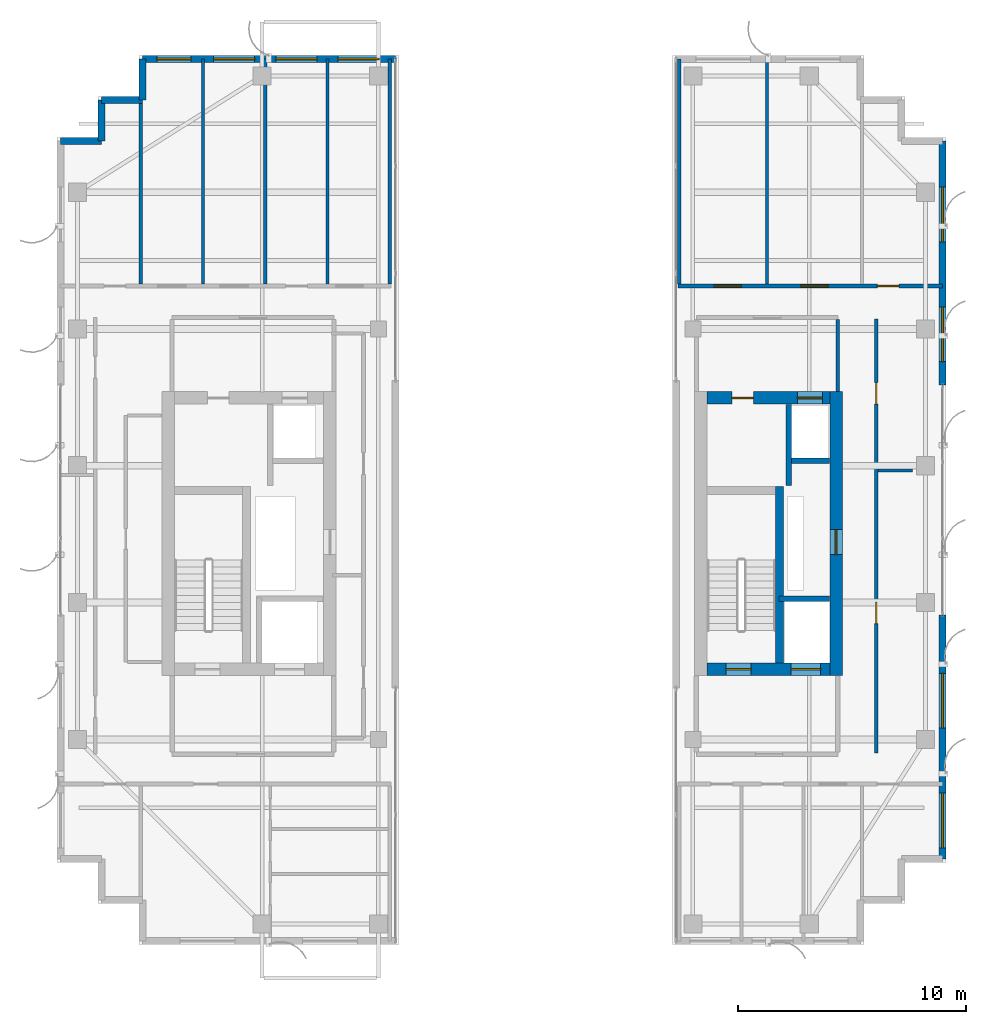
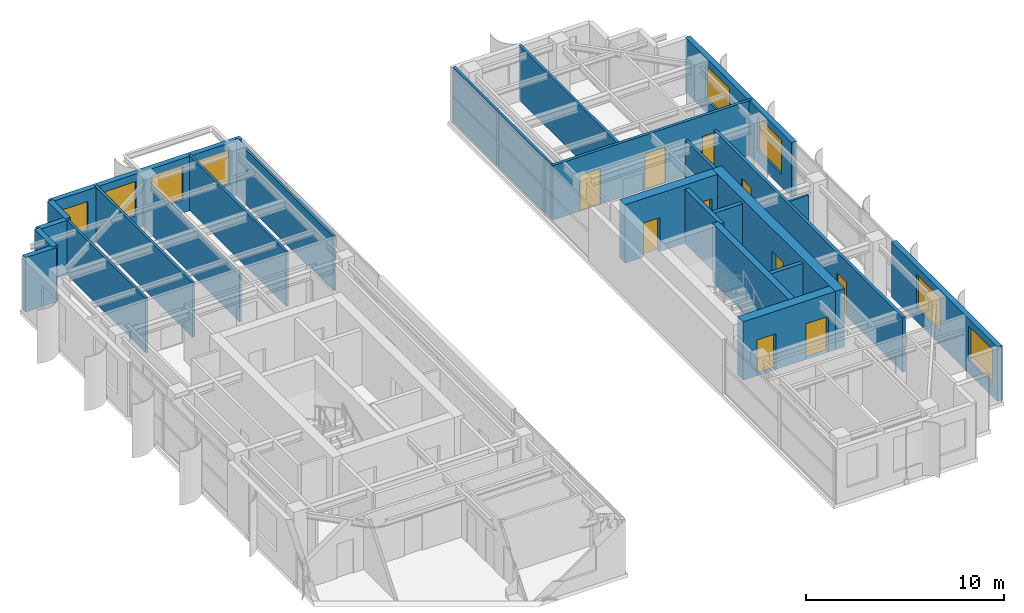
# One storey, part 19 of 22: 25 walls, 10 doors, 8 windows, 18 openings.
"""IFC4 building model written with IfcOpenShell, lengths in metres."""

from ifc_helpers import new_model, si_unit, direction, frame, frame_2d, origin, place, context, subcontext, project, spatial, rectangle, extrude, source, transform, mapped, material, layer, layer_set, type_object, element, fill, save


model = new_model("IFC4")

# Units and contexts
model_context = context("Model", 3, precision=1e-05, world=origin(), true_north=direction((0.0, 1.0)))
body_context = subcontext(model_context, "Body", "Model", "MODEL_VIEW")
ifc_project = project(units=[si_unit("LENGTHUNIT", "METRE"), si_unit("AREAUNIT", "SQUARE_METRE"), si_unit("VOLUMEUNIT", "CUBIC_METRE"), si_unit("PLANEANGLEUNIT", "RADIAN"), si_unit("MASSUNIT", "GRAM", prefix="KILO")], contexts=[model_context])

# Site, building, storey
site_placement = place(None, origin())
site = spatial("IfcSite", under=ifc_project, at=site_placement, CompositionType="ELEMENT")
building_placement = place(site_placement, origin())
building = spatial("IfcBuilding", under=site, at=building_placement, Name="Khoralis Quay Care Tower", CompositionType="ELEMENT")
storey_placement = place(building_placement, frame((0.0, 0.0, 242.10009765625)))
storey = spatial("IfcBuildingStorey", under=building, at=storey_placement, Name="L63", CompositionType="ELEMENT", Elevation=242.10009765625)

# Wall, opening, door
ifc_material_1 = material(Name="Concrete C65/80", Category="concrete")
ifc_layer_1 = layer(ifc_material_1, 0.550048828125)
ifc_layer_set_1 = layer_set([ifc_layer_1], Name="Concrete C65/80")
wall_type_1 = type_object("IfcWallType", Name="WL-CORE-550", PredefinedType="SHEAR", material=ifc_layer_set_1)
wall_1_placement = place(storey_placement, frame((37.175048828125, 14.800048828125, 0.0), z_axis=(0.0, 0.0, 1.0), x_axis=(0.0, 1.0, 0.0)))
wall_1 = element("IfcWall", 1, at=wall_1_placement, inside=storey, type_object=wall_type_1, Name="L63 ECORE East Shear Wall", PredefinedType="SHEAR", context=body_context, shape_type="SweptSolid", body=[
    extrude(rectangle(XDim=12.449951171875, YDim=0.550048828125, at=frame_2d((6.22509765625, 0.0))), origin(), (0.0, 0.0, 1.0), 3.599853515625),
])
opening_1_placement = place(wall_1_placement, frame((5.300048828125, 0.0, 0.0)))
opening_1 = element("IfcOpeningElement", 2, at=opening_1_placement, cuts=wall_1, Name="Opening SD1", PredefinedType="OPENING", context=body_context, shape_type="SweptSolid", body=[
    extrude(rectangle(XDim=1.10009765625, YDim=2.199951171875, at=frame_2d((0.550048828125, 1.10009765625))), frame((0.0, 0.28515625, 0.0), z_axis=(0.0, -1.0, 0.0), x_axis=(1.0, 0.0, 0.0)), (0.0, 0.0, 1.0), 0.570068359375),
])
ifc_material_2 = material(Name="Fire-rated painted steel", Category="steel")
door_type_1 = type_object("IfcDoorType", Name="DR-STAIR-1100X2200", OperationType="NOTDEFINED", PredefinedType="DOOR", material=ifc_material_2)
shared_shape_1 = source(origin(), body_context, "Body", "SweptSolid", [
    extrude(rectangle(XDim=1.10009765625, YDim=2.199951171875, at=frame_2d((0.550048828125, 1.10009765625))), frame((0.0, 0.02490234375, 0.0), z_axis=(0.0, -1.0, 0.0), x_axis=(1.0, 0.0, 0.0)), (0.0, 0.0, 1.0), 0.050048828125),
])
door_1_placement = place(opening_1_placement, frame((1.10009765625, 0.0, 0.0), z_axis=(0.0, 0.0, 1.0), x_axis=(-1.0, 0.0, 0.0)))
door_1 = element("IfcDoor", 3, at=door_1_placement, inside=storey, type_object=door_type_1, Name="L63 East MEP Riser Door", OperationType="SINGLE_SWING_RIGHT", OverallHeight=2.199951171875, OverallWidth=1.10009765625, PredefinedType="DOOR", context=body_context, shape_type="MappedRepresentation", body=[
    mapped(shared_shape_1, transform((0.0, 0.0, 0.0), scale=1.0)),
])
fill(opening_1, door_1)

# Wall, openings, doors
wall_2_placement = place(storey_placement, frame((31.52001953125, 15.074951171875, 0.0), z_axis=(0.0, 0.0, 1.0), x_axis=(1.0, 0.0, 0.0)))
wall_2 = element("IfcWall", 4, at=wall_2_placement, inside=storey, type_object=wall_type_1, Name="L63 ECORE South Shear Wall", PredefinedType="SHEAR", context=body_context, shape_type="SweptSolid", body=[
    extrude(rectangle(XDim=5.3798828125, YDim=0.550048828125, at=frame_2d((2.68994140625, 0.0))), origin(), (0.0, 0.0, 1.0), 3.599853515625),
])
opening_2_placement = place(wall_2_placement, frame((0.830078125, 0.0, 0.0)))
opening_2 = element("IfcOpeningElement", 5, at=opening_2_placement, cuts=wall_2, Name="Opening SD1", PredefinedType="OPENING", context=body_context, shape_type="SweptSolid", body=[
    extrude(rectangle(XDim=1.10009765625, YDim=2.199951171875, at=frame_2d((0.550048828125, 1.10009765625))), frame((0.0, 0.28515625, 0.0), z_axis=(0.0, -1.0, 0.0), x_axis=(1.0, 0.0, 0.0)), (0.0, 0.0, 1.0), 0.570068359375),
])
opening_3_placement = place(wall_2_placement, frame((3.679931640625, 0.0, 0.0)))
opening_3 = element("IfcOpeningElement", 6, at=opening_3_placement, cuts=wall_2, Name="Opening LD2", PredefinedType="OPENING", context=body_context, shape_type="SweptSolid", body=[
    extrude(rectangle(XDim=1.300048828125, YDim=2.199951171875, at=frame_2d((0.64990234375, 1.10009765625))), frame((0.0, 0.28515625, 0.0), z_axis=(0.0, -1.0, 0.0), x_axis=(1.0, 0.0, 0.0)), (0.0, 0.0, 1.0), 0.570068359375),
])
door_2_placement = place(opening_2_placement, origin())
door_2 = element("IfcDoor", 7, at=door_2_placement, inside=storey, type_object=door_type_1, Name="L63 Stair ST-T2 Fire Door", OperationType="SINGLE_SWING_RIGHT", OverallHeight=2.199951171875, OverallWidth=1.10009765625, PredefinedType="DOOR", context=body_context, shape_type="MappedRepresentation", body=[
    mapped(shared_shape_1, transform((0.0, 0.0, 0.0), scale=1.0)),
])
fill(opening_2, door_2)
ifc_material_3 = material(Name="Brushed stainless steel", Category="steel")
door_type_2 = type_object("IfcDoorType", Name="DR-LIFT-1300X2200", OperationType="SLIDING_TO_RIGHT", PredefinedType="DOOR", material=ifc_material_3)
shared_shape_2 = source(origin(), body_context, "Body", "SweptSolid", [
    extrude(rectangle(XDim=1.300048828125, YDim=2.199951171875, at=frame_2d((0.64990234375, 1.10009765625))), frame((0.0, 0.02490234375, 0.0), z_axis=(0.0, -1.0, 0.0), x_axis=(1.0, 0.0, 0.0)), (0.0, 0.0, 1.0), 0.050048828125),
])
door_3_placement = place(opening_3_placement, origin())
door_3 = element("IfcDoor", 8, at=door_3_placement, inside=storey, type_object=door_type_2, Name="L63 Firefighting Lift FFL-2 Landing Door", OperationType="SLIDING_TO_RIGHT", OverallHeight=2.199951171875, OverallWidth=1.300048828125, PredefinedType="DOOR", context=body_context, shape_type="MappedRepresentation", body=[
    mapped(shared_shape_2, transform((0.0, 0.0, 0.0), scale=1.0)),
])
fill(opening_3, door_3)

wall_3_placement = place(storey_placement, frame((31.52001953125, 26.97509765625, 0.0), z_axis=(0.0, 0.0, 1.0), x_axis=(1.0, 0.0, 0.0)))
wall_3 = element("IfcWall", 9, at=wall_3_placement, inside=storey, type_object=wall_type_1, Name="L63 ECORE North Shear Wall", PredefinedType="SHEAR", context=body_context, shape_type="SweptSolid", body=[
    extrude(rectangle(XDim=5.3798828125, YDim=0.550048828125, at=frame_2d((2.68994140625, 0.0))), origin(), (0.0, 0.0, 1.0), 3.599853515625),
])
opening_4_placement = place(wall_3_placement, frame((1.080078125, 0.0, 0.0)))
opening_4 = element("IfcOpeningElement", 10, at=opening_4_placement, cuts=wall_3, Name="Opening ID1", PredefinedType="OPENING", context=body_context, shape_type="SweptSolid", body=[
    extrude(rectangle(XDim=0.949951171875, YDim=2.10009765625, at=frame_2d((0.47509765625, 1.050048828125))), frame((0.0, 0.28515625, 0.0), z_axis=(0.0, -1.0, 0.0), x_axis=(1.0, 0.0, 0.0)), (0.0, 0.0, 1.0), 0.570068359375),
])
opening_5_placement = place(wall_3_placement, frame((3.9599609375, 0.0, 0.0)))
opening_5 = element("IfcOpeningElement", 11, at=opening_5_placement, cuts=wall_3, Name="Opening LD1", PredefinedType="OPENING", context=body_context, shape_type="SweptSolid", body=[
    extrude(rectangle(XDim=1.10009765625, YDim=2.199951171875, at=frame_2d((0.550048828125, 1.10009765625))), frame((0.0, 0.28515625, 0.0), z_axis=(0.0, -1.0, 0.0), x_axis=(1.0, 0.0, 0.0)), (0.0, 0.0, 1.0), 0.570068359375),
])
door_type_3 = type_object("IfcDoorType", Name="DR-LIFT-1100X2200", OperationType="SLIDING_TO_LEFT", PredefinedType="DOOR", material=ifc_material_3)
shared_shape_3 = source(origin(), body_context, "Body", "SweptSolid", [
    extrude(rectangle(XDim=1.10009765625, YDim=2.199951171875, at=frame_2d((0.550048828125, 1.10009765625))), frame((0.0, 0.02490234375, 0.0), z_axis=(0.0, -1.0, 0.0), x_axis=(1.0, 0.0, 0.0)), (0.0, 0.0, 1.0), 0.050048828125),
])
door_4_placement = place(opening_5_placement, origin())
door_4 = element("IfcDoor", 12, at=door_4_placement, inside=storey, type_object=door_type_3, Name="L63 Lift PLH2 Landing Door", OperationType="SLIDING_TO_LEFT", OverallHeight=2.199951171875, OverallWidth=1.10009765625, PredefinedType="DOOR", context=body_context, shape_type="MappedRepresentation", body=[
    mapped(shared_shape_3, transform((0.0, 0.0, 0.0), scale=1.0)),
])
fill(opening_5, door_4)
ifc_material_4 = material(Name="Acoustic hardwood timber", Category="wood")
door_type_4 = type_object("IfcDoorType", Name="DR-ROOM-950X2100", OperationType="NOTDEFINED", PredefinedType="DOOR", material=ifc_material_4)
shared_shape_4 = source(origin(), body_context, "Body", "SweptSolid", [
    extrude(rectangle(XDim=0.949951171875, YDim=2.10009765625, at=frame_2d((0.47509765625, 1.050048828125))), frame((0.0, 0.02490234375, 0.0), z_axis=(0.0, -1.0, 0.0), x_axis=(1.0, 0.0, 0.0)), (0.0, 0.0, 1.0), 0.050048828125),
])
door_5_placement = place(opening_4_placement, frame((0.949951171875, 0.0, 0.0), z_axis=(0.0, 0.0, 1.0), x_axis=(-1.0, 0.0, 0.0)))
door_5 = element("IfcDoor", 13, at=door_5_placement, inside=storey, type_object=door_type_4, Name="L63 Rehab Studio Door", OperationType="SINGLE_SWING_RIGHT", OverallHeight=2.10009765625, OverallWidth=0.949951171875, PredefinedType="DOOR", context=body_context, shape_type="MappedRepresentation", body=[
    mapped(shared_shape_4, transform((0.0, 0.0, 0.0), scale=1.0)),
])
fill(opening_4, door_5)

# Wall
ifc_material_5 = material(Name="Gypsum plasterboard on acoustic metal stud")
ifc_layer_2 = layer(ifc_material_5, 0.1650390625)
ifc_layer_set_2 = layer_set([ifc_layer_2], Name="Gypsum plasterboard on acoustic metal stud")
wall_type_2 = type_object("IfcWallType", Name="WL-CORR-165", PredefinedType="PARTITIONING", material=ifc_layer_set_2)
wall_4_placement = place(storey_placement, frame((37.25, 27.27001953125, 0.0), z_axis=(0.0, 0.0, 1.0), x_axis=(0.0, 1.0, 0.0)))
element("IfcWall", 14, at=wall_4_placement, inside=storey, type_object=wall_type_2, Name="L63 East Lift Lobby East Wall", PredefinedType="PARTITIONING", context=body_context, shape_type="SweptSolid", body=[
    extrude(rectangle(XDim=3.152587890625, YDim=0.1650390625, at=frame_2d((1.576171875, 0.0))), origin(), (0.0, 0.0, 1.0), 3.35986328125),
])

# Wall, openings, doors
wall_5_placement = place(storey_placement, frame((30.25, 31.889892578125, 0.0), z_axis=(0.0, 0.0, 1.0), x_axis=(1.0, 0.0, 0.0)))
wall_5 = element("IfcWall", 15, at=wall_5_placement, inside=storey, type_object=wall_type_2, Name="L63 East Wing North Corridor Wall", PredefinedType="PARTITIONING", context=body_context, shape_type="SweptSolid", body=[
    extrude(rectangle(XDim=11.60498046875, YDim=0.1650390625, at=frame_2d((5.802490234375, 0.0))), origin(), (0.0, 0.0, 1.0), 3.35986328125),
])
opening_6_placement = place(wall_5_placement, frame((1.574951171875, 0.0, 0.0)))
opening_6 = element("IfcOpeningElement", 16, at=opening_6_placement, cuts=wall_5, Name="Opening FD1", PredefinedType="OPENING", context=body_context, shape_type="SweptSolid", body=[
    extrude(rectangle(XDim=1.199951171875, YDim=2.199951171875, at=frame_2d((0.60009765625, 1.10009765625))), frame((0.0, 0.092529296875, 0.0), z_axis=(0.0, -1.0, 0.0), x_axis=(1.0, 0.0, 0.0)), (0.0, 0.0, 1.0), 0.18505859375),
])
opening_7_placement = place(wall_5_placement, frame((5.385009765625, 0.0, 0.0)))
opening_7 = element("IfcOpeningElement", 17, at=opening_7_placement, cuts=wall_5, Name="Opening FD1", PredefinedType="OPENING", context=body_context, shape_type="SweptSolid", body=[
    extrude(rectangle(XDim=1.199951171875, YDim=2.199951171875, at=frame_2d((0.60009765625, 1.10009765625))), frame((0.0, 0.092529296875, 0.0), z_axis=(0.0, -1.0, 0.0), x_axis=(1.0, 0.0, 0.0)), (0.0, 0.0, 1.0), 0.18505859375),
])
opening_8_placement = place(wall_5_placement, frame((8.735107421875, 0.0, 0.0)))
opening_8 = element("IfcOpeningElement", 18, at=opening_8_placement, cuts=wall_5, Name="Opening ID1", PredefinedType="OPENING", context=body_context, shape_type="SweptSolid", body=[
    extrude(rectangle(XDim=0.949951171875, YDim=2.10009765625, at=frame_2d((0.47509765625, 1.050048828125))), frame((0.0, 0.092529296875, 0.0), z_axis=(0.0, -1.0, 0.0), x_axis=(1.0, 0.0, 0.0)), (0.0, 0.0, 1.0), 0.18505859375),
])
door_type_5 = type_object("IfcDoorType", Name="DR-FFL-1200X2200", OperationType="NOTDEFINED", PredefinedType="DOOR", material=ifc_material_2)
shared_shape_5 = source(origin(), body_context, "Body", "SweptSolid", [
    extrude(rectangle(XDim=1.199951171875, YDim=2.199951171875, at=frame_2d((0.60009765625, 1.10009765625))), frame((0.0, 0.02490234375, 0.0), z_axis=(0.0, -1.0, 0.0), x_axis=(1.0, 0.0, 0.0)), (0.0, 0.0, 1.0), 0.050048828125),
])
door_6_placement = place(opening_6_placement, origin())
door_6 = element("IfcDoor", 19, at=door_6_placement, inside=storey, type_object=door_type_5, Name="L63 Resident Communal Day Lounge Door", OperationType="DOUBLE_DOOR_SINGLE_SWING", OverallHeight=2.199951171875, OverallWidth=1.199951171875, PredefinedType="DOOR", context=body_context, shape_type="MappedRepresentation", body=[
    mapped(shared_shape_5, transform((0.0, 0.0, 0.0), scale=1.0)),
])
fill(opening_6, door_6)
door_7_placement = place(opening_7_placement, origin())
door_7 = element("IfcDoor", 20, at=door_7_placement, inside=storey, type_object=door_type_5, Name="L63 Assisted Communal Dining Room Door", OperationType="DOUBLE_DOOR_SINGLE_SWING", OverallHeight=2.199951171875, OverallWidth=1.199951171875, PredefinedType="DOOR", context=body_context, shape_type="MappedRepresentation", body=[
    mapped(shared_shape_5, transform((0.0, 0.0, 0.0), scale=1.0)),
])
fill(opening_7, door_7)
door_8_placement = place(opening_8_placement, origin())
door_8 = element("IfcDoor", 21, at=door_8_placement, inside=storey, type_object=door_type_4, Name="L63 NE Corner Door", OperationType="SINGLE_SWING_LEFT", OverallHeight=2.10009765625, OverallWidth=0.949951171875, PredefinedType="DOOR", context=body_context, shape_type="MappedRepresentation", body=[
    mapped(shared_shape_4, transform((0.0, 0.0, 0.0), scale=1.0)),
])
fill(opening_8, door_8)

wall_6_placement = place(storey_placement, frame((38.93994140625, 11.39990234375, 0.0), z_axis=(0.0, 0.0, 1.0), x_axis=(0.0, 1.0, 0.0)))
wall_6 = element("IfcWall", 22, at=wall_6_placement, inside=storey, type_object=wall_type_2, Name="L63 East High-Rise Suite Wall", PredefinedType="PARTITIONING", context=body_context, shape_type="SweptSolid", body=[
    extrude(rectangle(XDim=19.050048828125, YDim=0.1650390625, at=frame_2d((9.52490234375, 0.0))), origin(), (0.0, 0.0, 1.0), 3.35986328125),
])
opening_9_placement = place(wall_6_placement, frame((5.675048828125, 0.0, 0.0)))
opening_9 = element("IfcOpeningElement", 23, at=opening_9_placement, cuts=wall_6, Name="Opening ID1", PredefinedType="OPENING", context=body_context, shape_type="SweptSolid", body=[
    extrude(rectangle(XDim=0.949951171875, YDim=2.10009765625, at=frame_2d((0.47509765625, 1.050048828125))), frame((0.0, 0.092529296875, 0.0), z_axis=(0.0, -1.0, 0.0), x_axis=(1.0, 0.0, 0.0)), (0.0, 0.0, 1.0), 0.18505859375),
])
opening_10_placement = place(wall_6_placement, frame((15.300048828125, 0.0, 0.0)))
opening_10 = element("IfcOpeningElement", 24, at=opening_10_placement, cuts=wall_6, Name="Opening ID1", PredefinedType="OPENING", context=body_context, shape_type="SweptSolid", body=[
    extrude(rectangle(XDim=0.949951171875, YDim=2.10009765625, at=frame_2d((0.47509765625, 1.050048828125))), frame((0.0, 0.092529296875, 0.0), z_axis=(0.0, -1.0, 0.0), x_axis=(1.0, 0.0, 0.0)), (0.0, 0.0, 1.0), 0.18505859375),
])
door_9_placement = place(opening_9_placement, origin())
door_9 = element("IfcDoor", 25, at=door_9_placement, inside=storey, type_object=door_type_4, Name="L63 East High-Rise Rehab Clinic Door", OperationType="SINGLE_SWING_LEFT", OverallHeight=2.10009765625, OverallWidth=0.949951171875, PredefinedType="DOOR", context=body_context, shape_type="MappedRepresentation", body=[
    mapped(shared_shape_4, transform((0.0, 0.0, 0.0), scale=1.0)),
])
fill(opening_9, door_9)
door_10_placement = place(opening_10_placement, origin())
door_10 = element("IfcDoor", 26, at=door_10_placement, inside=storey, type_object=door_type_4, Name="L63 East High-Rise Reading Suite Door", OperationType="SINGLE_SWING_RIGHT", OverallHeight=2.10009765625, OverallWidth=0.949951171875, PredefinedType="DOOR", context=body_context, shape_type="MappedRepresentation", body=[
    mapped(shared_shape_4, transform((0.0, 0.0, 0.0), scale=1.0)),
])
fill(opening_10, door_10)

# Wall, openings, windows
ifc_material_6 = material(Name="Precast concrete C45/55", Category="concrete")
ifc_layer_3 = layer(ifc_material_6, 0.300048828125)
ifc_layer_set_3 = layer_set([ifc_layer_3], Name="Precast concrete C45/55")
wall_type_3 = type_object("IfcWallType", Name="WL-EXT-REF-300", PredefinedType="SOLIDWALL", material=ifc_layer_set_3)
wall_7_placement = place(storey_placement, frame((17.85009765625, 41.85009765625, 0.0), z_axis=(0.0, 0.0, 1.0), x_axis=(-1.0, 0.0, 0.0)))
wall_7 = element("IfcWall", 27, at=wall_7_placement, inside=storey, type_object=wall_type_3, Name="L63 External Facade Wall WL-EXT-L63-P1-E2", PredefinedType="SOLIDWALL", context=body_context, shape_type="SweptSolid", body=[
    extrude(rectangle(XDim=11.10009765625, YDim=0.300048828125, at=frame_2d((5.550048828125, 0.0))), origin(), (0.0, 0.0, 1.0), 3.35986328125),
])
opening_11_placement = place(wall_7_placement, frame((0.715087890625, 0.0, 0.800048828125)))
opening_11 = element("IfcOpeningElement", 28, at=opening_11_placement, cuts=wall_7, Name="Opening W2", PredefinedType="OPENING", context=body_context, shape_type="SweptSolid", body=[
    extrude(rectangle(XDim=1.800048828125, YDim=2.10009765625, at=frame_2d((0.89990234375, 1.050048828125))), frame((0.0, 0.16015625, 0.0), z_axis=(0.0, -1.0, 0.0), x_axis=(1.0, 0.0, 0.0)), (0.0, 0.0, 1.0), 0.320068359375),
])
opening_12_placement = place(wall_7_placement, frame((3.445068359375, 0.0, 0.800048828125)))
opening_12 = element("IfcOpeningElement", 29, at=opening_12_placement, cuts=wall_7, Name="Opening W2", PredefinedType="OPENING", context=body_context, shape_type="SweptSolid", body=[
    extrude(rectangle(XDim=1.800048828125, YDim=2.10009765625, at=frame_2d((0.89990234375, 1.050048828125))), frame((0.0, 0.16015625, 0.0), z_axis=(0.0, -1.0, 0.0), x_axis=(1.0, 0.0, 0.0)), (0.0, 0.0, 1.0), 0.320068359375),
])
opening_13_placement = place(wall_7_placement, frame((6.175048828125, 0.0, 0.800048828125)))
opening_13 = element("IfcOpeningElement", 30, at=opening_13_placement, cuts=wall_7, Name="Opening W2", PredefinedType="OPENING", context=body_context, shape_type="SweptSolid", body=[
    extrude(rectangle(XDim=1.800048828125, YDim=2.10009765625, at=frame_2d((0.89990234375, 1.050048828125))), frame((0.0, 0.16015625, 0.0), z_axis=(0.0, -1.0, 0.0), x_axis=(1.0, 0.0, 0.0)), (0.0, 0.0, 1.0), 0.320068359375),
])
opening_14_placement = place(wall_7_placement, frame((8.969970703125, 0.0, 0.85009765625)))
opening_14 = element("IfcOpeningElement", 31, at=opening_14_placement, cuts=wall_7, Name="Opening W3", PredefinedType="OPENING", context=body_context, shape_type="SweptSolid", body=[
    extrude(rectangle(XDim=1.5, YDim=1.800048828125, at=frame_2d((0.75, 0.89990234375))), frame((0.0, 0.16015625, 0.0), z_axis=(0.0, -1.0, 0.0), x_axis=(1.0, 0.0, 0.0)), (0.0, 0.0, 1.0), 0.320068359375),
])
ifc_material_7 = material(Name="Low-E solar-control double glazing", Category="glass")
window_type_1 = type_object("IfcWindowType", Name="WN-CLIN-1500X1800", PartitioningType="SINGLE_PANEL", PredefinedType="WINDOW", material=ifc_material_7)
shared_shape_6 = source(origin(), body_context, "Body", "SweptSolid", [
    extrude(rectangle(XDim=1.5, YDim=1.800048828125, at=frame_2d((0.75, 0.89990234375))), frame((0.0, 0.030029296875, 0.0), z_axis=(0.0, -1.0, 0.0), x_axis=(1.0, 0.0, 0.0)), (0.0, 0.0, 1.0), 0.06005859375),
])
window_1_placement = place(opening_14_placement, origin())
window_1 = element("IfcWindow", 32, at=window_1_placement, inside=storey, type_object=window_type_1, Name="WN-L63-P1-E2 Facade Window 04", OverallHeight=1.800048828125, OverallWidth=1.5, PartitioningType="SINGLE_PANEL", PredefinedType="WINDOW", context=body_context, shape_type="MappedRepresentation", body=[
    mapped(shared_shape_6, transform((0.0, 0.0, 0.0), scale=1.0)),
])
fill(opening_14, window_1)
window_type_2 = type_object("IfcWindowType", Name="WN-POD-1800X2100", PartitioningType="SINGLE_PANEL", PredefinedType="WINDOW", material=ifc_material_7)
shared_shape_7 = source(origin(), body_context, "Body", "SweptSolid", [
    extrude(rectangle(XDim=1.800048828125, YDim=2.10009765625, at=frame_2d((0.89990234375, 1.050048828125))), frame((0.0, 0.030029296875, 0.0), z_axis=(0.0, -1.0, 0.0), x_axis=(1.0, 0.0, 0.0)), (0.0, 0.0, 1.0), 0.06005859375),
])
window_2_placement = place(opening_11_placement, origin())
window_2 = element("IfcWindow", 33, at=window_2_placement, inside=storey, type_object=window_type_2, Name="WN-L63-P1-E2 Facade Window 01", OverallHeight=2.10009765625, OverallWidth=1.800048828125, PartitioningType="SINGLE_PANEL", PredefinedType="WINDOW", context=body_context, shape_type="MappedRepresentation", body=[
    mapped(shared_shape_7, transform((0.0, 0.0, 0.0), scale=1.0)),
])
fill(opening_11, window_2)
window_3_placement = place(opening_12_placement, origin())
window_3 = element("IfcWindow", 34, at=window_3_placement, inside=storey, type_object=window_type_2, Name="WN-L63-P1-E2 Facade Window 02", OverallHeight=2.10009765625, OverallWidth=1.800048828125, PartitioningType="SINGLE_PANEL", PredefinedType="WINDOW", context=body_context, shape_type="MappedRepresentation", body=[
    mapped(shared_shape_7, transform((0.0, 0.0, 0.0), scale=1.0)),
])
fill(opening_12, window_3)
window_4_placement = place(opening_13_placement, origin())
window_4 = element("IfcWindow", 35, at=window_4_placement, inside=storey, type_object=window_type_2, Name="WN-L63-P1-E2 Facade Window 03", OverallHeight=2.10009765625, OverallWidth=1.800048828125, PartitioningType="SINGLE_PANEL", PredefinedType="WINDOW", context=body_context, shape_type="MappedRepresentation", body=[
    mapped(shared_shape_7, transform((0.0, 0.0, 0.0), scale=1.0)),
])
fill(opening_13, window_4)

# Walls
for number, where, z_axis, x_axis, name in (
    (36, (6.75, 41.85009765625, 0.0), (0.0, 0.0, 1.0), (0.0, -1.0, 0.0), "L63 External Facade Wall WL-EXT-L63-P1-C3"),
    (37, (6.75, 40.050048828125, 0.0), (0.0, 0.0, 1.0), (-1.0, 0.0, 0.0), "L63 External Facade Wall WL-EXT-L63-P1-C4"),
    (38, (4.949951171875, 40.050048828125, 0.0), (0.0, 0.0, 1.0), (0.0, -1.0, 0.0), "L63 External Facade Wall WL-EXT-L63-P1-C5"),
    (39, (4.949951171875, 38.25, 0.0), (0.0, 0.0, 1.0), (-1.0, 0.0, 0.0), "L63 External Facade Wall WL-EXT-L63-P1-C6"),
):
    element("IfcWall", number, at=place(storey_placement, frame(where, z_axis=z_axis, x_axis=x_axis)), inside=storey, type_object=wall_type_3, Name=name, PredefinedType="SOLIDWALL", context=body_context, shape_type="SweptSolid", body=[
        extrude(rectangle(XDim=1.800048828125, YDim=0.300048828125, at=frame_2d((0.89990234375, 0.0))), origin(), (0.0, 0.0, 1.0), 3.35986328125),
    ])

# Wall, openings, windows
wall_8_placement = place(storey_placement, frame((41.85009765625, 6.75, 0.0), z_axis=(0.0, 0.0, 1.0), x_axis=(0.0, 1.0, 0.0)))
wall_8 = element("IfcWall", 40, at=wall_8_placement, inside=storey, type_object=wall_type_3, Name="L63 External Facade Wall WL-EXT-L63-P2-E5A", PredefinedType="SOLIDWALL", context=body_context, shape_type="SweptSolid", body=[
    extrude(rectangle(XDim=10.7099609375, YDim=0.300048828125, at=frame_2d((5.35498046875, 0.0))), origin(), (0.0, 0.0, 1.0), 3.35986328125),
])
opening_15_placement = place(wall_8_placement, frame((0.4951171875, 0.0, 0.800048828125)))
opening_15 = element("IfcOpeningElement", 41, at=opening_15_placement, cuts=wall_8, Name="Opening W1", PredefinedType="OPENING", context=body_context, shape_type="SweptSolid", body=[
    extrude(rectangle(XDim=2.39990234375, YDim=2.10009765625, at=frame_2d((1.199951171875, 1.050048828125))), frame((0.0, 0.16015625, 0.0), z_axis=(0.0, -1.0, 0.0), x_axis=(1.0, 0.0, 0.0)), (0.0, 0.0, 1.0), 0.320068359375),
])
opening_16_placement = place(wall_8_placement, frame((5.75, 0.0, 0.800048828125)))
opening_16 = element("IfcOpeningElement", 42, at=opening_16_placement, cuts=wall_8, Name="Opening W1", PredefinedType="OPENING", context=body_context, shape_type="SweptSolid", body=[
    extrude(rectangle(XDim=2.39990234375, YDim=2.10009765625, at=frame_2d((1.199951171875, 1.050048828125))), frame((0.0, 0.16015625, 0.0), z_axis=(0.0, -1.0, 0.0), x_axis=(1.0, 0.0, 0.0)), (0.0, 0.0, 1.0), 0.320068359375),
])
window_type_3 = type_object("IfcWindowType", Name="WN-POD-2400X2100", PartitioningType="SINGLE_PANEL", PredefinedType="WINDOW", material=ifc_material_7)
shared_shape_8 = source(origin(), body_context, "Body", "SweptSolid", [
    extrude(rectangle(XDim=2.39990234375, YDim=2.10009765625, at=frame_2d((1.199951171875, 1.050048828125))), frame((0.0, 0.030029296875, 0.0), z_axis=(0.0, -1.0, 0.0), x_axis=(1.0, 0.0, 0.0)), (0.0, 0.0, 1.0), 0.06005859375),
])
window_5_placement = place(opening_15_placement, origin())
window_5 = element("IfcWindow", 43, at=window_5_placement, inside=storey, type_object=window_type_3, Name="WN-L63-P2-E5A Facade Window 01", OverallHeight=2.10009765625, OverallWidth=2.39990234375, PartitioningType="SINGLE_PANEL", PredefinedType="WINDOW", context=body_context, shape_type="MappedRepresentation", body=[
    mapped(shared_shape_8, transform((0.0, 0.0, 0.0), scale=1.0)),
])
fill(opening_15, window_5)
window_6_placement = place(opening_16_placement, origin())
window_6 = element("IfcWindow", 44, at=window_6_placement, inside=storey, type_object=window_type_3, Name="WN-L63-P2-E5A Facade Window 02", OverallHeight=2.10009765625, OverallWidth=2.39990234375, PartitioningType="SINGLE_PANEL", PredefinedType="WINDOW", context=body_context, shape_type="MappedRepresentation", body=[
    mapped(shared_shape_8, transform((0.0, 0.0, 0.0), scale=1.0)),
])
fill(opening_16, window_6)

wall_9_placement = place(storey_placement, frame((41.85009765625, 27.5400390625, 0.0), z_axis=(0.0, 0.0, 1.0), x_axis=(0.0, 1.0, 0.0)))
wall_9 = element("IfcWall", 45, at=wall_9_placement, inside=storey, type_object=wall_type_3, Name="L63 External Facade Wall WL-EXT-L63-P2-E5B", PredefinedType="SOLIDWALL", context=body_context, shape_type="SweptSolid", body=[
    extrude(rectangle(XDim=10.7099609375, YDim=0.300048828125, at=frame_2d((5.35498046875, 0.0))), origin(), (0.0, 0.0, 1.0), 3.35986328125),
])
opening_17_placement = place(wall_9_placement, frame((1.02490234375, 0.0, 0.800048828125)))
opening_17 = element("IfcOpeningElement", 46, at=opening_17_placement, cuts=wall_9, Name="Opening W1", PredefinedType="OPENING", context=body_context, shape_type="SweptSolid", body=[
    extrude(rectangle(XDim=2.39990234375, YDim=2.10009765625, at=frame_2d((1.199951171875, 1.050048828125))), frame((0.0, 0.16015625, 0.0), z_axis=(0.0, -1.0, 0.0), x_axis=(1.0, 0.0, 0.0)), (0.0, 0.0, 1.0), 0.320068359375),
])
opening_18_placement = place(wall_9_placement, frame((6.280029296875, 0.0, 0.800048828125)))
opening_18 = element("IfcOpeningElement", 47, at=opening_18_placement, cuts=wall_9, Name="Opening W1", PredefinedType="OPENING", context=body_context, shape_type="SweptSolid", body=[
    extrude(rectangle(XDim=2.39990234375, YDim=2.10009765625, at=frame_2d((1.199951171875, 1.050048828125))), frame((0.0, 0.16015625, 0.0), z_axis=(0.0, -1.0, 0.0), x_axis=(1.0, 0.0, 0.0)), (0.0, 0.0, 1.0), 0.320068359375),
])
window_7_placement = place(opening_17_placement, origin())
window_7 = element("IfcWindow", 48, at=window_7_placement, inside=storey, type_object=window_type_3, Name="WN-L63-P2-E5B Facade Window 01", OverallHeight=2.10009765625, OverallWidth=2.39990234375, PartitioningType="SINGLE_PANEL", PredefinedType="WINDOW", context=body_context, shape_type="MappedRepresentation", body=[
    mapped(shared_shape_8, transform((0.0, 0.0, 0.0), scale=1.0)),
])
fill(opening_17, window_7)
window_8_placement = place(opening_18_placement, origin())
window_8 = element("IfcWindow", 49, at=window_8_placement, inside=storey, type_object=window_type_3, Name="WN-L63-P2-E5B Facade Window 02", OverallHeight=2.10009765625, OverallWidth=2.39990234375, PartitioningType="SINGLE_PANEL", PredefinedType="WINDOW", context=body_context, shape_type="MappedRepresentation", body=[
    mapped(shared_shape_8, transform((0.0, 0.0, 0.0), scale=1.0)),
])
fill(opening_18, window_8)

# Walls
ifc_material_8 = material(Name="Concrete C40/50", Category="concrete")
ifc_layer_4 = layer(ifc_material_8, 0.35009765625)
ifc_layer_set_4 = layer_set([ifc_layer_4], Name="Concrete C40/50")
wall_type_4 = type_object("IfcWallType", Name="WL-SC-CORE-350", PredefinedType="SHEAR", material=ifc_layer_set_4)
wall_10_placement = place(storey_placement, frame((34.695068359375, 15.35009765625, 0.0), z_axis=(0.0, 0.0, 1.0), x_axis=(0.0, 1.0, 0.0)))
element("IfcWall", 50, at=wall_10_placement, inside=storey, type_object=wall_type_4, Name="L63 Stair ST-T2 Shear Baffle Wall East", PredefinedType="SHEAR", context=body_context, shape_type="SweptSolid", body=[
    extrude(rectangle(XDim=7.75, YDim=0.35009765625, at=frame_2d((3.875, 0.0))), origin(), (0.0, 0.0, 1.0), 3.599853515625),
])
ifc_layer_5 = layer(ifc_material_5, 0.239990234375)
ifc_layer_set_5 = layer_set([ifc_layer_5], Name="Gypsum plasterboard on acoustic metal stud")
wall_type_5 = type_object("IfcWallType", Name="WL-SHAFT-240", PredefinedType="PARTITIONING", material=ifc_layer_set_5)
wall_11_placement = place(storey_placement, frame((34.679931640625, 18.169921875, 0.0), z_axis=(0.0, 0.0, 1.0), x_axis=(1.0, 0.0, 0.0)))
element("IfcWall", 51, at=wall_11_placement, inside=storey, type_object=wall_type_5, Name="L63 FFL-2 Shaft Wall North", PredefinedType="PARTITIONING", context=body_context, shape_type="SweptSolid", body=[
    extrude(rectangle(XDim=2.199951171875, YDim=0.239990234375, at=frame_2d((1.10009765625, 0.0))), origin(), (0.0, 0.0, 1.0), 3.35986328125),
])
wall_12_placement = place(storey_placement, frame((35.110107421875, 23.139892578125, 0.0), z_axis=(0.0, 0.0, 1.0), x_axis=(0.0, 1.0, 0.0)))
element("IfcWall", 52, at=wall_12_placement, inside=storey, type_object=wall_type_5, Name="L63 High-Rise Reclaimed Bay Wall East", PredefinedType="PARTITIONING", context=body_context, shape_type="SweptSolid", body=[
    extrude(rectangle(XDim=3.5400390625, YDim=0.239990234375, at=frame_2d((1.77001953125, 0.0))), origin(), (0.0, 0.0, 1.0), 3.35986328125),
])
wall_13_placement = place(storey_placement, frame((35.22509765625, 24.22998046875, 0.0), z_axis=(0.0, 0.0, 1.0), x_axis=(1.0, 0.0, 0.0)))
element("IfcWall", 53, at=wall_13_placement, inside=storey, type_object=wall_type_5, Name="L63 High-Rise Shaft South Wall East", PredefinedType="PARTITIONING", context=body_context, shape_type="SweptSolid", body=[
    extrude(rectangle(XDim=1.65478515625, YDim=0.239990234375, at=frame_2d((0.827392578125, 0.0))), origin(), (0.0, 0.0, 1.0), 3.35986328125),
])
ifc_layer_6 = layer(ifc_material_5, 0.139892578125)
ifc_layer_set_6 = layer_set([ifc_layer_6], Name="Gypsum plasterboard on acoustic metal stud")
wall_type_6 = type_object("IfcWallType", Name="WL-UNIT-140", PredefinedType="PARTITIONING", material=ifc_layer_set_6)
wall_14_placement = place(storey_placement, frame((39.017578125, 23.800048828125, 0.0), z_axis=(0.0, 0.0, 1.0), x_axis=(1.0, 0.0, 0.0)))
element("IfcWall", 54, at=wall_14_placement, inside=storey, type_object=wall_type_6, Name="L63 East High-Rise Split", PredefinedType="PARTITIONING", context=body_context, shape_type="SweptSolid", body=[
    extrude(rectangle(XDim=1.50244140625, YDim=0.139892578125, at=frame_2d((0.751220703125, 0.0))), origin(), (0.0, 0.0, 1.0), 2.85986328125),
])
wall_15_placement = place(storey_placement, frame((6.679931640625, 31.967529296875, 0.0), z_axis=(0.0, 0.0, 1.0), x_axis=(0.0, 1.0, 0.0)))
element("IfcWall", 55, at=wall_15_placement, inside=storey, type_object=wall_type_6, Name="L63 WN Demising Wall 0", PredefinedType="PARTITIONING", context=body_context, shape_type="SweptSolid", body=[
    extrude(rectangle(XDim=8.08740234375, YDim=0.139892578125, at=frame_2d((4.043701171875, 0.0))), origin(), (0.0, 0.0, 1.0), 3.35986328125),
])
wall_16_placement = place(storey_placement, frame((9.409912109375, 31.967529296875, 0.0), z_axis=(0.0, 0.0, 1.0), x_axis=(0.0, 1.0, 0.0)))
element("IfcWall", 56, at=wall_16_placement, inside=storey, type_object=wall_type_6, Name="L63 WN Demising Wall 1", PredefinedType="PARTITIONING", context=body_context, shape_type="SweptSolid", body=[
    extrude(rectangle(XDim=9.887451171875, YDim=0.139892578125, at=frame_2d((4.94384765625, 0.0))), origin(), (0.0, 0.0, 1.0), 3.35986328125),
])
wall_17_placement = place(storey_placement, frame((12.139892578125, 31.967529296875, 0.0), z_axis=(0.0, 0.0, 1.0), x_axis=(0.0, 1.0, 0.0)))
element("IfcWall", 57, at=wall_17_placement, inside=storey, type_object=wall_type_6, Name="L63 WN Demising Wall 2", PredefinedType="PARTITIONING", context=body_context, shape_type="SweptSolid", body=[
    extrude(rectangle(XDim=9.887451171875, YDim=0.139892578125, at=frame_2d((4.94384765625, 0.0))), origin(), (0.0, 0.0, 1.0), 2.90087890625),
])
for number, where, z_axis, x_axis, name in (
    (58, (14.8701171875, 31.967529296875, 0.0), (0.0, 0.0, 1.0), (0.0, 1.0, 0.0), "L63 WN Demising Wall 3"),
    (59, (17.60009765625, 31.967529296875, 0.0), (0.0, 0.0, 1.0), (0.0, 1.0, 0.0), "L63 WN Demising Wall 4"),
    (60, (30.300048828125, 31.967529296875, 0.0), (0.0, 0.0, 1.0), (0.0, 1.0, 0.0), "L63 EN Demising Wall 0"),
    (61, (34.14990234375, 31.967529296875, 0.0), (0.0, 0.0, 1.0), (0.0, 1.0, 0.0), "L63 EN Demising Wall 1"),
):
    element("IfcWall", number, at=place(storey_placement, frame(where, z_axis=z_axis, x_axis=x_axis)), inside=storey, type_object=wall_type_6, Name=name, PredefinedType="PARTITIONING", context=body_context, shape_type="SweptSolid", body=[
        extrude(rectangle(XDim=9.887451171875, YDim=0.139892578125, at=frame_2d((4.94384765625, 0.0))), origin(), (0.0, 0.0, 1.0), 3.35986328125),
    ])

save(model, "model.ifc")
